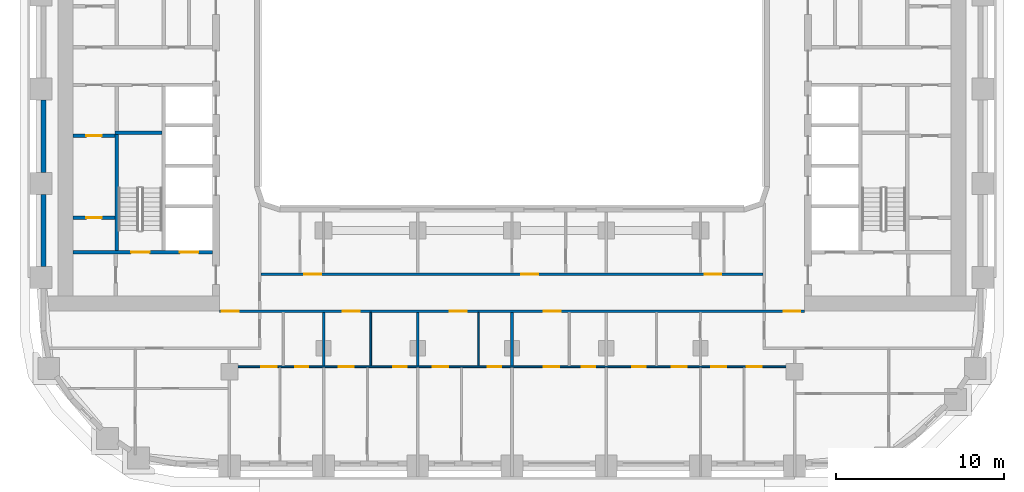
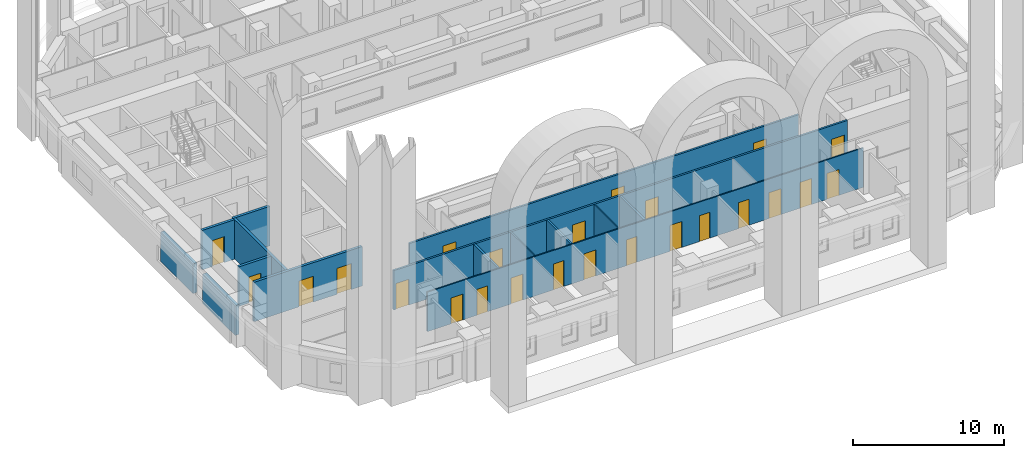
# One storey, part 3 of 19: 24 doors, 15 walls, 24 openings.
"""IFC4 building model written with IfcOpenShell, lengths in metres."""

from ifc_helpers import new_model, si_unit, direction, frame, frame_2d, origin, place, context, subcontext, project, spatial, rectangle, extrude, material, layer, layer_set, type_object, element, fill, save


model = new_model("IFC4")

# Units and contexts
model_context = context("Model", 3, precision=1e-05, world=origin(), true_north=direction((0.0, 1.0)))
body_context = subcontext(model_context, "Body", "Model", "MODEL_VIEW")
ifc_project = project(units=[si_unit("LENGTHUNIT", "METRE"), si_unit("AREAUNIT", "SQUARE_METRE"), si_unit("VOLUMEUNIT", "CUBIC_METRE"), si_unit("PLANEANGLEUNIT", "RADIAN"), si_unit("MASSUNIT", "GRAM", prefix="KILO")], contexts=[model_context])

# Site, building, storey
site_placement = place(None, origin())
site = spatial("IfcSite", under=ifc_project, at=site_placement, CompositionType="ELEMENT")
building_placement = place(site_placement, origin())
building = spatial("IfcBuilding", under=site, at=building_placement, Name="Kiln Ring Residences", CompositionType="ELEMENT")
storey_placement = place(building_placement, frame((0.0, 0.0, 83.300048828125)))
storey = spatial("IfcBuildingStorey", under=building, at=storey_placement, Name="L20", CompositionType="ELEMENT", Elevation=83.300048828125)

# Wall, opening, door
ifc_material_1 = material(Name="Gypsum board on steel studs", Category="steel")
ifc_layer_1 = layer(ifc_material_1, 0.199951171875)
ifc_layer_set_1 = layer_set([ifc_layer_1], Name="CORE-PARTITION-200")
wall_type_1 = type_object("IfcWallType", Name="CORE-PARTITION-200", PredefinedType="PARTITIONING", material=ifc_layer_set_1)
wall_1_placement = place(storey_placement, frame((-23.60009765625, -7.64990234375, 0.0), z_axis=(0.0, 0.0, 1.0), x_axis=(-1.0, 0.0, 0.0)))
wall_1 = element("IfcWall", 1, at=wall_1_placement, inside=storey, type_object=wall_type_1, Name="Core partition west L20 6", PredefinedType="PARTITIONING", context=body_context, shape_type="SweptSolid", body=[
    extrude(rectangle(XDim=2.5, YDim=0.199951171875, at=frame_2d((1.25, 0.0))), origin(), (0.0, 0.0, 1.0), 3.199951171875),
])
opening_1_placement = place(wall_1_placement, frame((0.800048828125, 0.0, 0.0)))
opening_1 = element("IfcOpeningElement", 2, at=opening_1_placement, cuts=wall_1, Name="Opening L20-CW16", PredefinedType="OPENING", context=body_context, shape_type="SweptSolid", body=[
    extrude(rectangle(XDim=0.89990234375, YDim=2.10009765625, at=frame_2d((0.449951171875, 1.050048828125))), frame((0.0, 0.10986328125, 0.0), z_axis=(0.0, -1.0, 0.0), x_axis=(1.0, 0.0, 0.0)), (0.0, 0.0, 1.0), 0.219970703125),
])
ifc_material_2 = material(Name="Steel door leaf", Category="steel")
door_type_1 = type_object("IfcDoorType", Name="CORE-DOOR-ROOM", OperationType="SINGLE_SWING_LEFT", PredefinedType="DOOR", material=ifc_material_2)
door_1_placement = place(opening_1_placement, origin())
door_1 = element("IfcDoor", 3, at=door_1_placement, inside=storey, type_object=door_type_1, Name="Plant room L20-CW16", OperationType="SINGLE_SWING_LEFT", OverallHeight=2.10009765625, OverallWidth=0.89990234375, PredefinedType="DOOR", context=body_context, shape_type="SweptSolid", body=[
    extrude(rectangle(XDim=0.89990234375, YDim=2.10009765625, at=frame_2d((0.449951171875, 1.050048828125))), frame((0.0, 0.02490234375, 0.0), z_axis=(0.0, -1.0, 0.0), x_axis=(1.0, 0.0, 0.0)), (0.0, 0.0, 1.0), 0.050048828125),
])
fill(opening_1, door_1)

wall_2_placement = place(storey_placement, frame((-23.60009765625, -2.77490234375, 0.0), z_axis=(0.0, 0.0, 1.0), x_axis=(-1.0, 0.0, 0.0)))
wall_2 = element("IfcWall", 4, at=wall_2_placement, inside=storey, type_object=wall_type_1, Name="Core partition west L20 7", PredefinedType="PARTITIONING", context=body_context, shape_type="SweptSolid", body=[
    extrude(rectangle(XDim=2.5, YDim=0.199951171875, at=frame_2d((1.25, 0.0))), origin(), (0.0, 0.0, 1.0), 3.199951171875),
])
opening_2_placement = place(wall_2_placement, frame((0.800048828125, 0.0, 0.0)))
opening_2 = element("IfcOpeningElement", 5, at=opening_2_placement, cuts=wall_2, Name="Opening L20-CW17", PredefinedType="OPENING", context=body_context, shape_type="SweptSolid", body=[
    extrude(rectangle(XDim=0.89990234375, YDim=2.10009765625, at=frame_2d((0.449951171875, 1.050048828125))), frame((0.0, 0.10986328125, 0.0), z_axis=(0.0, -1.0, 0.0), x_axis=(1.0, 0.0, 0.0)), (0.0, 0.0, 1.0), 0.219970703125),
])
door_2_placement = place(opening_2_placement, origin())
door_2 = element("IfcDoor", 6, at=door_2_placement, inside=storey, type_object=door_type_1, Name="Battery room L20-CW17", OperationType="SINGLE_SWING_RIGHT", OverallHeight=2.10009765625, OverallWidth=0.89990234375, PredefinedType="DOOR", context=body_context, shape_type="SweptSolid", body=[
    extrude(rectangle(XDim=0.89990234375, YDim=2.10009765625, at=frame_2d((0.449951171875, 1.050048828125))), frame((0.0, 0.02490234375, 0.0), z_axis=(0.0, -1.0, 0.0), x_axis=(1.0, 0.0, 0.0)), (0.0, 0.0, 1.0), 0.050048828125),
])
fill(opening_2, door_2)

# Wall, openings, doors
ifc_material_3 = material(Name="Concrete C40/50", Category="concrete")
ifc_layer_2 = layer(ifc_material_3, 0.199951171875)
ifc_layer_set_2 = layer_set([ifc_layer_2], Name="CORE-WALL-RC200")
wall_type_2 = type_object("IfcWallType", Name="CORE-WALL-RC200", PredefinedType="SHEAR", material=ifc_layer_set_2)
wall_3_placement = place(storey_placement, frame((-17.800048828125, -9.699951171875, 0.0), z_axis=(0.0, 0.0, 1.0), x_axis=(-1.0, 0.0, 0.0)))
wall_3 = element("IfcWall", 7, at=wall_3_placement, inside=storey, type_object=wall_type_2, Name="Core wall west L20 8", PredefinedType="SHEAR", context=body_context, shape_type="SweptSolid", body=[
    extrude(rectangle(XDim=8.300048828125, YDim=0.199951171875, at=frame_2d((4.14990234375, 0.0))), origin(), (0.0, 0.0, 1.0), 3.199951171875),
])
opening_3_placement = place(wall_3_placement, frame((0.85009765625, 0.0, 0.0)))
opening_3 = element("IfcOpeningElement", 8, at=opening_3_placement, cuts=wall_3, Name="Opening L20-CW01", PredefinedType="OPENING", context=body_context, shape_type="SweptSolid", body=[
    extrude(rectangle(XDim=1.10009765625, YDim=2.10009765625, at=frame_2d((0.550048828125, 1.050048828125))), frame((0.0, 0.10986328125, 0.0), z_axis=(0.0, -1.0, 0.0), x_axis=(1.0, 0.0, 0.0)), (0.0, 0.0, 1.0), 0.219970703125),
])
opening_4_placement = place(wall_3_placement, frame((3.75, 0.0, 0.0)))
opening_4 = element("IfcOpeningElement", 9, at=opening_4_placement, cuts=wall_3, Name="Opening L20-CW13", PredefinedType="OPENING", context=body_context, shape_type="SweptSolid", body=[
    extrude(rectangle(XDim=1.10009765625, YDim=2.10009765625, at=frame_2d((0.550048828125, 1.050048828125))), frame((0.0, 0.10986328125, 0.0), z_axis=(0.0, -1.0, 0.0), x_axis=(1.0, 0.0, 0.0)), (0.0, 0.0, 1.0), 0.219970703125),
])
ifc_material_4 = material(Name="Steel door leaf", Category="steel")
door_type_2 = type_object("IfcDoorType", Name="CORE-DOOR-LD", OperationType="DOUBLE_DOOR_SLIDING", PredefinedType="DOOR", material=ifc_material_4)
door_3_placement = place(opening_3_placement, origin())
door_3 = element("IfcDoor", 10, at=door_3_placement, inside=storey, type_object=door_type_2, Name="LD W-SV L20-CW01", OperationType="DOUBLE_DOOR_SLIDING", OverallHeight=2.10009765625, OverallWidth=1.10009765625, PredefinedType="DOOR", context=body_context, shape_type="SweptSolid", body=[
    extrude(rectangle(XDim=1.10009765625, YDim=2.10009765625, at=frame_2d((0.550048828125, 1.050048828125))), frame((0.0, 0.02490234375, 0.0), z_axis=(0.0, -1.0, 0.0), x_axis=(1.0, 0.0, 0.0)), (0.0, 0.0, 1.0), 0.050048828125),
])
fill(opening_3, door_3)
ifc_material_5 = material(Name="Steel door leaf", Category="steel")
door_type_3 = type_object("IfcDoorType", Name="CORE-DOOR-STAIR", OperationType="SINGLE_SWING_LEFT", PredefinedType="DOOR", material=ifc_material_5)
door_4_placement = place(opening_4_placement, origin())
door_4 = element("IfcDoor", 11, at=door_4_placement, inside=storey, type_object=door_type_3, Name="Stair W-STS L20-CW13", OperationType="SINGLE_SWING_RIGHT", OverallHeight=2.10009765625, OverallWidth=1.10009765625, PredefinedType="DOOR", context=body_context, shape_type="SweptSolid", body=[
    extrude(rectangle(XDim=1.10009765625, YDim=2.10009765625, at=frame_2d((0.550048828125, 1.050048828125))), frame((0.0, 0.02490234375, 0.0), z_axis=(0.0, -1.0, 0.0), x_axis=(1.0, 0.0, 0.0)), (0.0, 0.0, 1.0), 0.050048828125),
])
fill(opening_4, door_4)

# Walls
wall_4_placement = place(storey_placement, frame((-23.5, -9.60009765625, 0.0), z_axis=(0.0, 0.0, 1.0), x_axis=(0.0, 1.0, 0.0)))
element("IfcWall", 12, at=wall_4_placement, inside=storey, type_object=wall_type_2, Name="Core wall west L20 11", PredefinedType="SHEAR", context=body_context, shape_type="SweptSolid", body=[
    extrude(rectangle(XDim=6.900146484375, YDim=0.199951171875, at=frame_2d((3.4501953125, 0.0))), origin(), (0.0, 0.0, 1.0), 3.199951171875),
])
wall_5_placement = place(storey_placement, frame((-20.800048828125, -2.60009765625, 0.0), z_axis=(0.0, 0.0, 1.0), x_axis=(-1.0, 0.0, 0.0)))
element("IfcWall", 13, at=wall_5_placement, inside=storey, type_object=wall_type_2, Name="Core wall west L20 12", PredefinedType="SHEAR", context=body_context, shape_type="SweptSolid", body=[
    extrude(rectangle(XDim=2.800048828125, YDim=0.199951171875, at=frame_2d((1.39990234375, 0.0))), origin(), (0.0, 0.0, 1.0), 3.199951171875),
])
ifc_material_6 = material(Name="Brick masonry, dark clay brick", Category="masonry")
ifc_layer_3 = layer(ifc_material_6, 0.300048828125)
ifc_layer_set_3 = layer_set([ifc_layer_3], Name="EW-300 BRICK WALL")
wall_type_3 = type_object("IfcWallType", Name="EW-300 BRICK WALL", PredefinedType="SOLIDWALL", material=ifc_layer_set_3)
for number, where, z_axis, x_axis, name in (
    (14, (-27.85009765625, -0.64990234375, 0.0), (0.0, 0.0, 1.0), (0.0, -1.0, 0.0), "Facade wall L20 44"),
    (15, (-27.85009765625, -6.25, 0.0), (0.0, 0.0, 1.0), (0.0, -1.0, 0.0), "Facade wall L20 45"),
):
    element("IfcWall", number, at=place(storey_placement, frame(where, z_axis=z_axis, x_axis=x_axis)), inside=storey, type_object=wall_type_3, Name=name, PredefinedType="SOLIDWALL", context=body_context, shape_type="SweptSolid", body=[
        extrude(rectangle(XDim=4.300048828125, YDim=0.300048828125, at=frame_2d((2.14990234375, 0.0))), origin(), (0.0, 0.0, 1.0), 2.39990234375),
    ])

# Wall, openings, doors
ifc_material_7 = material(Name="Gypsum board on steel studs", Category="steel")
ifc_layer_4 = layer(ifc_material_7, 0.10009765625)
ifc_layer_set_4 = layer_set([ifc_layer_4], Name="PARTITION-100")
wall_type_4 = type_object("IfcWallType", Name="PARTITION-100", PredefinedType="PARTITIONING", material=ifc_layer_set_4)
wall_6_placement = place(storey_placement, frame((-16.72509765625, -16.5, 0.0), z_axis=(0.0, 0.0, 1.0), x_axis=(1.0, 0.0, 0.0)))
wall_6 = element("IfcWall", 16, at=wall_6_placement, inside=storey, type_object=wall_type_4, Name="Partition 002", PredefinedType="PARTITIONING", context=body_context, shape_type="SweptSolid", body=[
    extrude(rectangle(XDim=33.4501953125, YDim=0.10009765625, at=frame_2d((16.72509765625, 0.0))), origin(), (0.0, 0.0, 1.0), 3.199951171875),
])
opening_5_placement = place(wall_6_placement, frame((3.824951171875, 0.0, 0.0)))
opening_5 = element("IfcOpeningElement", 17, at=opening_5_placement, cuts=wall_6, Name="Opening L20-D053", PredefinedType="OPENING", context=body_context, shape_type="SweptSolid", body=[
    extrude(rectangle(XDim=0.800048828125, YDim=2.10009765625, at=frame_2d((0.39990234375, 1.050048828125))), frame((0.0, 0.06005859375, 0.0), z_axis=(0.0, -1.0, 0.0), x_axis=(1.0, 0.0, 0.0)), (0.0, 0.0, 1.0), 0.1201171875),
])
opening_6_placement = place(wall_6_placement, frame((1.824951171875, 0.0, 0.0)))
opening_6 = element("IfcOpeningElement", 18, at=opening_6_placement, cuts=wall_6, Name="Opening L20-D054", PredefinedType="OPENING", context=body_context, shape_type="SweptSolid", body=[
    extrude(rectangle(XDim=0.89990234375, YDim=2.10009765625, at=frame_2d((0.449951171875, 1.050048828125))), frame((0.0, 0.06005859375, 0.0), z_axis=(0.0, -1.0, 0.0), x_axis=(1.0, 0.0, 0.0)), (0.0, 0.0, 1.0), 0.1201171875),
])
opening_7_placement = place(wall_6_placement, frame((9.675048828125, 0.0, 0.0)))
opening_7 = element("IfcOpeningElement", 19, at=opening_7_placement, cuts=wall_6, Name="Opening L20-D057", PredefinedType="OPENING", context=body_context, shape_type="SweptSolid", body=[
    extrude(rectangle(XDim=0.800048828125, YDim=2.10009765625, at=frame_2d((0.39990234375, 1.050048828125))), frame((0.0, 0.06005859375, 0.0), z_axis=(0.0, -1.0, 0.0), x_axis=(1.0, 0.0, 0.0)), (0.0, 0.0, 1.0), 0.1201171875),
])
opening_8_placement = place(wall_6_placement, frame((6.425048828125, 0.0, 0.0)))
opening_8 = element("IfcOpeningElement", 20, at=opening_8_placement, cuts=wall_6, Name="Opening L20-D058", PredefinedType="OPENING", context=body_context, shape_type="SweptSolid", body=[
    extrude(rectangle(XDim=0.89990234375, YDim=2.10009765625, at=frame_2d((0.449951171875, 1.050048828125))), frame((0.0, 0.06005859375, 0.0), z_axis=(0.0, -1.0, 0.0), x_axis=(1.0, 0.0, 0.0)), (0.0, 0.0, 1.0), 0.1201171875),
])
opening_9_placement = place(wall_6_placement, frame((15.27490234375, 0.0, 0.0)))
opening_9 = element("IfcOpeningElement", 21, at=opening_9_placement, cuts=wall_6, Name="Opening L20-D061", PredefinedType="OPENING", context=body_context, shape_type="SweptSolid", body=[
    extrude(rectangle(XDim=0.800048828125, YDim=2.10009765625, at=frame_2d((0.39990234375, 1.050048828125))), frame((0.0, 0.06005859375, 0.0), z_axis=(0.0, -1.0, 0.0), x_axis=(1.0, 0.0, 0.0)), (0.0, 0.0, 1.0), 0.1201171875),
])
opening_10_placement = place(wall_6_placement, frame((12.02490234375, 0.0, 0.0)))
opening_10 = element("IfcOpeningElement", 22, at=opening_10_placement, cuts=wall_6, Name="Opening L20-D062", PredefinedType="OPENING", context=body_context, shape_type="SweptSolid", body=[
    extrude(rectangle(XDim=0.89990234375, YDim=2.10009765625, at=frame_2d((0.449951171875, 1.050048828125))), frame((0.0, 0.06005859375, 0.0), z_axis=(0.0, -1.0, 0.0), x_axis=(1.0, 0.0, 0.0)), (0.0, 0.0, 1.0), 0.1201171875),
])
opening_11_placement = place(wall_6_placement, frame((20.875, 0.0, 0.0)))
opening_11 = element("IfcOpeningElement", 23, at=opening_11_placement, cuts=wall_6, Name="Opening L20-D065", PredefinedType="OPENING", context=body_context, shape_type="SweptSolid", body=[
    extrude(rectangle(XDim=0.800048828125, YDim=2.10009765625, at=frame_2d((0.39990234375, 1.050048828125))), frame((0.0, 0.06005859375, 0.0), z_axis=(0.0, -1.0, 0.0), x_axis=(1.0, 0.0, 0.0)), (0.0, 0.0, 1.0), 0.1201171875),
])
opening_12_placement = place(wall_6_placement, frame((18.625, 0.0, 0.0)))
opening_12 = element("IfcOpeningElement", 24, at=opening_12_placement, cuts=wall_6, Name="Opening L20-D066", PredefinedType="OPENING", context=body_context, shape_type="SweptSolid", body=[
    extrude(rectangle(XDim=0.89990234375, YDim=2.10009765625, at=frame_2d((0.449951171875, 1.050048828125))), frame((0.0, 0.06005859375, 0.0), z_axis=(0.0, -1.0, 0.0), x_axis=(1.0, 0.0, 0.0)), (0.0, 0.0, 1.0), 0.1201171875),
])
opening_13_placement = place(wall_6_placement, frame((23.875, 0.0, 0.0)))
opening_13 = element("IfcOpeningElement", 25, at=opening_13_placement, cuts=wall_6, Name="Opening L20-D069", PredefinedType="OPENING", context=body_context, shape_type="SweptSolid", body=[
    extrude(rectangle(XDim=0.800048828125, YDim=2.10009765625, at=frame_2d((0.39990234375, 1.050048828125))), frame((0.0, 0.06005859375, 0.0), z_axis=(0.0, -1.0, 0.0), x_axis=(1.0, 0.0, 0.0)), (0.0, 0.0, 1.0), 0.1201171875),
])
opening_14_placement = place(wall_6_placement, frame((26.22509765625, 0.0, 0.0)))
opening_14 = element("IfcOpeningElement", 26, at=opening_14_placement, cuts=wall_6, Name="Opening L20-D070", PredefinedType="OPENING", context=body_context, shape_type="SweptSolid", body=[
    extrude(rectangle(XDim=0.89990234375, YDim=2.10009765625, at=frame_2d((0.449951171875, 1.050048828125))), frame((0.0, 0.06005859375, 0.0), z_axis=(0.0, -1.0, 0.0), x_axis=(1.0, 0.0, 0.0)), (0.0, 0.0, 1.0), 0.1201171875),
])
opening_15_placement = place(wall_6_placement, frame((28.574951171875, 0.0, 0.0)))
opening_15 = element("IfcOpeningElement", 27, at=opening_15_placement, cuts=wall_6, Name="Opening L20-D071", PredefinedType="OPENING", context=body_context, shape_type="SweptSolid", body=[
    extrude(rectangle(XDim=0.89990234375, YDim=2.10009765625, at=frame_2d((0.449951171875, 1.050048828125))), frame((0.0, 0.06005859375, 0.0), z_axis=(0.0, -1.0, 0.0), x_axis=(1.0, 0.0, 0.0)), (0.0, 0.0, 1.0), 0.1201171875),
])
opening_16_placement = place(wall_6_placement, frame((30.675048828125, 0.0, 0.0)))
opening_16 = element("IfcOpeningElement", 28, at=opening_16_placement, cuts=wall_6, Name="Opening L20-D072", PredefinedType="OPENING", context=body_context, shape_type="SweptSolid", body=[
    extrude(rectangle(XDim=0.89990234375, YDim=2.10009765625, at=frame_2d((0.449951171875, 1.050048828125))), frame((0.0, 0.06005859375, 0.0), z_axis=(0.0, -1.0, 0.0), x_axis=(1.0, 0.0, 0.0)), (0.0, 0.0, 1.0), 0.1201171875),
])
ifc_material_8 = material(Name="Timber door leaf", Category="wood")
door_type_4 = type_object("IfcDoorType", Name="FLAT-DOOR-800-PL", OperationType="SINGLE_SWING_LEFT", PredefinedType="DOOR", material=ifc_material_8)
door_5_placement = place(opening_5_placement, origin())
door_5 = element("IfcDoor", 29, at=door_5_placement, inside=storey, type_object=door_type_4, Name="Door L20-D053", OperationType="SINGLE_SWING_LEFT", OverallHeight=2.10009765625, OverallWidth=0.800048828125, PredefinedType="DOOR", context=body_context, shape_type="SweptSolid", body=[
    extrude(rectangle(XDim=0.800048828125, YDim=2.10009765625, at=frame_2d((0.39990234375, 1.050048828125))), frame((0.0, 0.02490234375, 0.0), z_axis=(0.0, -1.0, 0.0), x_axis=(1.0, 0.0, 0.0)), (0.0, 0.0, 1.0), 0.050048828125),
])
fill(opening_5, door_5)
door_6_placement = place(opening_7_placement, origin())
door_6 = element("IfcDoor", 30, at=door_6_placement, inside=storey, type_object=door_type_4, Name="Door L20-D057", OperationType="SINGLE_SWING_LEFT", OverallHeight=2.10009765625, OverallWidth=0.800048828125, PredefinedType="DOOR", context=body_context, shape_type="SweptSolid", body=[
    extrude(rectangle(XDim=0.800048828125, YDim=2.10009765625, at=frame_2d((0.39990234375, 1.050048828125))), frame((0.0, 0.02490234375, 0.0), z_axis=(0.0, -1.0, 0.0), x_axis=(1.0, 0.0, 0.0)), (0.0, 0.0, 1.0), 0.050048828125),
])
fill(opening_7, door_6)
door_7_placement = place(opening_9_placement, origin())
door_7 = element("IfcDoor", 31, at=door_7_placement, inside=storey, type_object=door_type_4, Name="Door L20-D061", OperationType="SINGLE_SWING_LEFT", OverallHeight=2.10009765625, OverallWidth=0.800048828125, PredefinedType="DOOR", context=body_context, shape_type="SweptSolid", body=[
    extrude(rectangle(XDim=0.800048828125, YDim=2.10009765625, at=frame_2d((0.39990234375, 1.050048828125))), frame((0.0, 0.02490234375, 0.0), z_axis=(0.0, -1.0, 0.0), x_axis=(1.0, 0.0, 0.0)), (0.0, 0.0, 1.0), 0.050048828125),
])
fill(opening_9, door_7)
door_8_placement = place(opening_11_placement, origin())
door_8 = element("IfcDoor", 32, at=door_8_placement, inside=storey, type_object=door_type_4, Name="Door L20-D065", OperationType="SINGLE_SWING_LEFT", OverallHeight=2.10009765625, OverallWidth=0.800048828125, PredefinedType="DOOR", context=body_context, shape_type="SweptSolid", body=[
    extrude(rectangle(XDim=0.800048828125, YDim=2.10009765625, at=frame_2d((0.39990234375, 1.050048828125))), frame((0.0, 0.02490234375, 0.0), z_axis=(0.0, -1.0, 0.0), x_axis=(1.0, 0.0, 0.0)), (0.0, 0.0, 1.0), 0.050048828125),
])
fill(opening_11, door_8)
door_9_placement = place(opening_13_placement, origin())
door_9 = element("IfcDoor", 33, at=door_9_placement, inside=storey, type_object=door_type_4, Name="Door L20-D069", OperationType="SINGLE_SWING_LEFT", OverallHeight=2.10009765625, OverallWidth=0.800048828125, PredefinedType="DOOR", context=body_context, shape_type="SweptSolid", body=[
    extrude(rectangle(XDim=0.800048828125, YDim=2.10009765625, at=frame_2d((0.39990234375, 1.050048828125))), frame((0.0, 0.02490234375, 0.0), z_axis=(0.0, -1.0, 0.0), x_axis=(1.0, 0.0, 0.0)), (0.0, 0.0, 1.0), 0.050048828125),
])
fill(opening_13, door_9)
ifc_material_9 = material(Name="Timber door leaf", Category="wood")
door_type_5 = type_object("IfcDoorType", Name="FLAT-DOOR-900-PL", OperationType="SINGLE_SWING_LEFT", PredefinedType="DOOR", material=ifc_material_9)
door_10_placement = place(opening_6_placement, origin())
door_10 = element("IfcDoor", 34, at=door_10_placement, inside=storey, type_object=door_type_5, Name="Door L20-D054", OperationType="SINGLE_SWING_RIGHT", OverallHeight=2.10009765625, OverallWidth=0.89990234375, PredefinedType="DOOR", context=body_context, shape_type="SweptSolid", body=[
    extrude(rectangle(XDim=0.89990234375, YDim=2.10009765625, at=frame_2d((0.449951171875, 1.050048828125))), frame((0.0, 0.02490234375, 0.0), z_axis=(0.0, -1.0, 0.0), x_axis=(1.0, 0.0, 0.0)), (0.0, 0.0, 1.0), 0.050048828125),
])
fill(opening_6, door_10)
door_11_placement = place(opening_8_placement, origin())
door_11 = element("IfcDoor", 35, at=door_11_placement, inside=storey, type_object=door_type_5, Name="Door L20-D058", OperationType="SINGLE_SWING_RIGHT", OverallHeight=2.10009765625, OverallWidth=0.89990234375, PredefinedType="DOOR", context=body_context, shape_type="SweptSolid", body=[
    extrude(rectangle(XDim=0.89990234375, YDim=2.10009765625, at=frame_2d((0.449951171875, 1.050048828125))), frame((0.0, 0.02490234375, 0.0), z_axis=(0.0, -1.0, 0.0), x_axis=(1.0, 0.0, 0.0)), (0.0, 0.0, 1.0), 0.050048828125),
])
fill(opening_8, door_11)
door_12_placement = place(opening_10_placement, origin())
door_12 = element("IfcDoor", 36, at=door_12_placement, inside=storey, type_object=door_type_5, Name="Door L20-D062", OperationType="SINGLE_SWING_RIGHT", OverallHeight=2.10009765625, OverallWidth=0.89990234375, PredefinedType="DOOR", context=body_context, shape_type="SweptSolid", body=[
    extrude(rectangle(XDim=0.89990234375, YDim=2.10009765625, at=frame_2d((0.449951171875, 1.050048828125))), frame((0.0, 0.02490234375, 0.0), z_axis=(0.0, -1.0, 0.0), x_axis=(1.0, 0.0, 0.0)), (0.0, 0.0, 1.0), 0.050048828125),
])
fill(opening_10, door_12)
door_13_placement = place(opening_12_placement, origin())
door_13 = element("IfcDoor", 37, at=door_13_placement, inside=storey, type_object=door_type_5, Name="Door L20-D066", OperationType="SINGLE_SWING_RIGHT", OverallHeight=2.10009765625, OverallWidth=0.89990234375, PredefinedType="DOOR", context=body_context, shape_type="SweptSolid", body=[
    extrude(rectangle(XDim=0.89990234375, YDim=2.10009765625, at=frame_2d((0.449951171875, 1.050048828125))), frame((0.0, 0.02490234375, 0.0), z_axis=(0.0, -1.0, 0.0), x_axis=(1.0, 0.0, 0.0)), (0.0, 0.0, 1.0), 0.050048828125),
])
fill(opening_12, door_13)
door_14_placement = place(opening_14_placement, origin())
door_14 = element("IfcDoor", 38, at=door_14_placement, inside=storey, type_object=door_type_5, Name="Door L20-D070", OperationType="SINGLE_SWING_RIGHT", OverallHeight=2.10009765625, OverallWidth=0.89990234375, PredefinedType="DOOR", context=body_context, shape_type="SweptSolid", body=[
    extrude(rectangle(XDim=0.89990234375, YDim=2.10009765625, at=frame_2d((0.449951171875, 1.050048828125))), frame((0.0, 0.02490234375, 0.0), z_axis=(0.0, -1.0, 0.0), x_axis=(1.0, 0.0, 0.0)), (0.0, 0.0, 1.0), 0.050048828125),
])
fill(opening_14, door_14)
door_15_placement = place(opening_15_placement, origin())
door_15 = element("IfcDoor", 39, at=door_15_placement, inside=storey, type_object=door_type_5, Name="Door L20-D071", OperationType="SINGLE_SWING_LEFT", OverallHeight=2.10009765625, OverallWidth=0.89990234375, PredefinedType="DOOR", context=body_context, shape_type="SweptSolid", body=[
    extrude(rectangle(XDim=0.89990234375, YDim=2.10009765625, at=frame_2d((0.449951171875, 1.050048828125))), frame((0.0, 0.02490234375, 0.0), z_axis=(0.0, -1.0, 0.0), x_axis=(1.0, 0.0, 0.0)), (0.0, 0.0, 1.0), 0.050048828125),
])
fill(opening_15, door_15)
door_16_placement = place(opening_16_placement, origin())
door_16 = element("IfcDoor", 40, at=door_16_placement, inside=storey, type_object=door_type_5, Name="Door L20-D072", OperationType="SINGLE_SWING_LEFT", OverallHeight=2.10009765625, OverallWidth=0.89990234375, PredefinedType="DOOR", context=body_context, shape_type="SweptSolid", body=[
    extrude(rectangle(XDim=0.89990234375, YDim=2.10009765625, at=frame_2d((0.449951171875, 1.050048828125))), frame((0.0, 0.02490234375, 0.0), z_axis=(0.0, -1.0, 0.0), x_axis=(1.0, 0.0, 0.0)), (0.0, 0.0, 1.0), 0.050048828125),
])
fill(opening_16, door_16)

# Walls
for number, where, z_axis, x_axis, name in (
    (41, (-8.39990234375, -16.449951171875, 0.0), (0.0, 0.0, 1.0), (0.0, 1.0, 0.0), "Partition 037"),
    (42, (-2.0, -16.449951171875, 0.0), (0.0, 0.0, 1.0), (0.0, 1.0, 0.0), "Partition 046"),
):
    element("IfcWall", number, at=place(storey_placement, frame(where, z_axis=z_axis, x_axis=x_axis)), inside=storey, type_object=wall_type_4, Name=name, PredefinedType="PARTITIONING", context=body_context, shape_type="SweptSolid", body=[
        extrude(rectangle(XDim=3.175048828125, YDim=0.10009765625, at=frame_2d((1.58740234375, 0.0))), origin(), (0.0, 0.0, 1.0), 3.199951171875),
    ])

# Wall, openings, doors
ifc_material_10 = material(Name="Brick masonry partition", Category="masonry")
ifc_layer_5 = layer(ifc_material_10, 0.14990234375)
ifc_layer_set_5 = layer_set([ifc_layer_5], Name="PARTITION-150-ei60")
wall_type_5 = type_object("IfcWallType", Name="PARTITION-150-ei60", PredefinedType="PARTITIONING", material=ifc_layer_set_5)
wall_7_placement = place(storey_placement, frame((-17.39990234375, -13.199951171875, 0.0), z_axis=(0.0, 0.0, 1.0), x_axis=(1.0, 0.0, 0.0)))
wall_7 = element("IfcWall", 43, at=wall_7_placement, inside=storey, type_object=wall_type_5, Name="Partition 005", PredefinedType="PARTITIONING", context=body_context, shape_type="SweptSolid", body=[
    extrude(rectangle(XDim=34.7998046875, YDim=0.14990234375, at=frame_2d((17.39990234375, 0.0))), origin(), (0.0, 0.0, 1.0), 3.199951171875),
])
opening_17_placement = place(wall_7_placement, frame((0.14990234375, 0.0, 0.0)))
opening_17 = element("IfcOpeningElement", 44, at=opening_17_placement, cuts=wall_7, Name="Opening L20-D007", PredefinedType="OPENING", context=body_context, shape_type="SweptSolid", body=[
    extrude(rectangle(XDim=1.0, YDim=2.10009765625, at=frame_2d((0.5, 1.050048828125))), frame((0.0, 0.0849609375, 0.0), z_axis=(0.0, -1.0, 0.0), x_axis=(1.0, 0.0, 0.0)), (0.0, 0.0, 1.0), 0.169921875),
])
opening_18_placement = place(wall_7_placement, frame((33.550048828125, 0.0, 0.0)))
opening_18 = element("IfcOpeningElement", 45, at=opening_18_placement, cuts=wall_7, Name="Opening L20-D008", PredefinedType="OPENING", context=body_context, shape_type="SweptSolid", body=[
    extrude(rectangle(XDim=1.0, YDim=2.10009765625, at=frame_2d((0.5, 1.050048828125))), frame((0.0, 0.0849609375, 0.0), z_axis=(0.0, -1.0, 0.0), x_axis=(1.0, 0.0, 0.0)), (0.0, 0.0, 1.0), 0.169921875),
])
opening_19_placement = place(wall_7_placement, frame((7.35009765625, 0.0, 0.0)))
opening_19 = element("IfcOpeningElement", 46, at=opening_19_placement, cuts=wall_7, Name="Opening L20-D056", PredefinedType="OPENING", context=body_context, shape_type="SweptSolid", body=[
    extrude(rectangle(XDim=1.0, YDim=2.10009765625, at=frame_2d((0.5, 1.050048828125))), frame((0.0, 0.0849609375, 0.0), z_axis=(0.0, -1.0, 0.0), x_axis=(1.0, 0.0, 0.0)), (0.0, 0.0, 1.0), 0.169921875),
])
opening_20_placement = place(wall_7_placement, frame((13.699951171875, 0.0, 0.0)))
opening_20 = element("IfcOpeningElement", 47, at=opening_20_placement, cuts=wall_7, Name="Opening L20-D060", PredefinedType="OPENING", context=body_context, shape_type="SweptSolid", body=[
    extrude(rectangle(XDim=1.0, YDim=2.10009765625, at=frame_2d((0.5, 1.050048828125))), frame((0.0, 0.0849609375, 0.0), z_axis=(0.0, -1.0, 0.0), x_axis=(1.0, 0.0, 0.0)), (0.0, 0.0, 1.0), 0.169921875),
])
opening_21_placement = place(wall_7_placement, frame((19.300048828125, 0.0, 0.0)))
opening_21 = element("IfcOpeningElement", 48, at=opening_21_placement, cuts=wall_7, Name="Opening L20-D064", PredefinedType="OPENING", context=body_context, shape_type="SweptSolid", body=[
    extrude(rectangle(XDim=1.0, YDim=2.10009765625, at=frame_2d((0.5, 1.050048828125))), frame((0.0, 0.0849609375, 0.0), z_axis=(0.0, -1.0, 0.0), x_axis=(1.0, 0.0, 0.0)), (0.0, 0.0, 1.0), 0.169921875),
])
ifc_material_11 = material(Name="Steel faced fire door leaf", Category="steel")
door_type_6 = type_object("IfcDoorType", Name="FLAT-DOOR-1000-FR", OperationType="SINGLE_SWING_LEFT", PredefinedType="DOOR", material=ifc_material_11)
door_17_placement = place(opening_17_placement, origin())
door_17 = element("IfcDoor", 49, at=door_17_placement, inside=storey, type_object=door_type_6, Name="Door L20-D007", OperationType="SINGLE_SWING_RIGHT", OverallHeight=2.10009765625, OverallWidth=1.0, PredefinedType="DOOR", context=body_context, shape_type="SweptSolid", body=[
    extrude(rectangle(XDim=1.0, YDim=2.10009765625, at=frame_2d((0.5, 1.050048828125))), frame((0.0, 0.02490234375, 0.0), z_axis=(0.0, -1.0, 0.0), x_axis=(1.0, 0.0, 0.0)), (0.0, 0.0, 1.0), 0.050048828125),
])
fill(opening_17, door_17)
door_18_placement = place(opening_18_placement, origin())
door_18 = element("IfcDoor", 50, at=door_18_placement, inside=storey, type_object=door_type_6, Name="Door L20-D008", OperationType="SINGLE_SWING_LEFT", OverallHeight=2.10009765625, OverallWidth=1.0, PredefinedType="DOOR", context=body_context, shape_type="SweptSolid", body=[
    extrude(rectangle(XDim=1.0, YDim=2.10009765625, at=frame_2d((0.5, 1.050048828125))), frame((0.0, 0.02490234375, 0.0), z_axis=(0.0, -1.0, 0.0), x_axis=(1.0, 0.0, 0.0)), (0.0, 0.0, 1.0), 0.050048828125),
])
fill(opening_18, door_18)
door_19_placement = place(opening_19_placement, origin())
door_19 = element("IfcDoor", 51, at=door_19_placement, inside=storey, type_object=door_type_6, Name="Door L20-D056", OperationType="SINGLE_SWING_RIGHT", OverallHeight=2.10009765625, OverallWidth=1.0, PredefinedType="DOOR", context=body_context, shape_type="SweptSolid", body=[
    extrude(rectangle(XDim=1.0, YDim=2.10009765625, at=frame_2d((0.5, 1.050048828125))), frame((0.0, 0.02490234375, 0.0), z_axis=(0.0, -1.0, 0.0), x_axis=(1.0, 0.0, 0.0)), (0.0, 0.0, 1.0), 0.050048828125),
])
fill(opening_19, door_19)
door_20_placement = place(opening_20_placement, origin())
door_20 = element("IfcDoor", 52, at=door_20_placement, inside=storey, type_object=door_type_6, Name="Door L20-D060", OperationType="SINGLE_SWING_RIGHT", OverallHeight=2.10009765625, OverallWidth=1.0, PredefinedType="DOOR", context=body_context, shape_type="SweptSolid", body=[
    extrude(rectangle(XDim=1.0, YDim=2.10009765625, at=frame_2d((0.5, 1.050048828125))), frame((0.0, 0.02490234375, 0.0), z_axis=(0.0, -1.0, 0.0), x_axis=(1.0, 0.0, 0.0)), (0.0, 0.0, 1.0), 0.050048828125),
])
fill(opening_20, door_20)
door_21_placement = place(opening_21_placement, origin())
door_21 = element("IfcDoor", 53, at=door_21_placement, inside=storey, type_object=door_type_6, Name="Door L20-D064", OperationType="SINGLE_SWING_RIGHT", OverallHeight=2.10009765625, OverallWidth=1.0, PredefinedType="DOOR", context=body_context, shape_type="SweptSolid", body=[
    extrude(rectangle(XDim=1.0, YDim=2.10009765625, at=frame_2d((0.5, 1.050048828125))), frame((0.0, 0.02490234375, 0.0), z_axis=(0.0, -1.0, 0.0), x_axis=(1.0, 0.0, 0.0)), (0.0, 0.0, 1.0), 0.050048828125),
])
fill(opening_21, door_21)

wall_8_placement = place(storey_placement, frame((-14.925048828125, -11.0, 0.0), z_axis=(0.0, 0.0, 1.0), x_axis=(1.0, 0.0, 0.0)))
wall_8 = element("IfcWall", 54, at=wall_8_placement, inside=storey, type_object=wall_type_5, Name="Partition 006", PredefinedType="PARTITIONING", context=body_context, shape_type="SweptSolid", body=[
    extrude(rectangle(XDim=29.85009765625, YDim=0.14990234375, at=frame_2d((14.925048828125, 0.0))), origin(), (0.0, 0.0, 1.0), 3.199951171875),
])
opening_22_placement = place(wall_8_placement, frame((2.574951171875, 0.0, 0.0)))
opening_22 = element("IfcOpeningElement", 55, at=opening_22_placement, cuts=wall_8, Name="Opening L20-D043", PredefinedType="OPENING", context=body_context, shape_type="SweptSolid", body=[
    extrude(rectangle(XDim=1.0, YDim=2.10009765625, at=frame_2d((0.5, 1.050048828125))), frame((0.0, 0.0849609375, 0.0), z_axis=(0.0, -1.0, 0.0), x_axis=(1.0, 0.0, 0.0)), (0.0, 0.0, 1.0), 0.169921875),
])
opening_23_placement = place(wall_8_placement, frame((15.47509765625, 0.0, 0.0)))
opening_23 = element("IfcOpeningElement", 56, at=opening_23_placement, cuts=wall_8, Name="Opening L20-D046", PredefinedType="OPENING", context=body_context, shape_type="SweptSolid", body=[
    extrude(rectangle(XDim=1.0, YDim=2.10009765625, at=frame_2d((0.5, 1.050048828125))), frame((0.0, 0.0849609375, 0.0), z_axis=(0.0, -1.0, 0.0), x_axis=(1.0, 0.0, 0.0)), (0.0, 0.0, 1.0), 0.169921875),
])
opening_24_placement = place(wall_8_placement, frame((26.375, 0.0, 0.0)))
opening_24 = element("IfcOpeningElement", 57, at=opening_24_placement, cuts=wall_8, Name="Opening L20-D049", PredefinedType="OPENING", context=body_context, shape_type="SweptSolid", body=[
    extrude(rectangle(XDim=1.0, YDim=2.10009765625, at=frame_2d((0.5, 1.050048828125))), frame((0.0, 0.0849609375, 0.0), z_axis=(0.0, -1.0, 0.0), x_axis=(1.0, 0.0, 0.0)), (0.0, 0.0, 1.0), 0.169921875),
])
door_22_placement = place(opening_22_placement, origin())
door_22 = element("IfcDoor", 58, at=door_22_placement, inside=storey, type_object=door_type_6, Name="Door L20-D043", OperationType="SINGLE_SWING_LEFT", OverallHeight=2.10009765625, OverallWidth=1.0, PredefinedType="DOOR", context=body_context, shape_type="SweptSolid", body=[
    extrude(rectangle(XDim=1.0, YDim=2.10009765625, at=frame_2d((0.5, 1.050048828125))), frame((0.0, 0.02490234375, 0.0), z_axis=(0.0, -1.0, 0.0), x_axis=(1.0, 0.0, 0.0)), (0.0, 0.0, 1.0), 0.050048828125),
])
fill(opening_22, door_22)
door_23_placement = place(opening_23_placement, origin())
door_23 = element("IfcDoor", 59, at=door_23_placement, inside=storey, type_object=door_type_6, Name="Door L20-D046", OperationType="SINGLE_SWING_RIGHT", OverallHeight=2.10009765625, OverallWidth=1.0, PredefinedType="DOOR", context=body_context, shape_type="SweptSolid", body=[
    extrude(rectangle(XDim=1.0, YDim=2.10009765625, at=frame_2d((0.5, 1.050048828125))), frame((0.0, 0.02490234375, 0.0), z_axis=(0.0, -1.0, 0.0), x_axis=(1.0, 0.0, 0.0)), (0.0, 0.0, 1.0), 0.050048828125),
])
fill(opening_23, door_23)
door_24_placement = place(opening_24_placement, origin())
door_24 = element("IfcDoor", 60, at=door_24_placement, inside=storey, type_object=door_type_6, Name="Door L20-D049", OperationType="SINGLE_SWING_LEFT", OverallHeight=2.10009765625, OverallWidth=1.0, PredefinedType="DOOR", context=body_context, shape_type="SweptSolid", body=[
    extrude(rectangle(XDim=1.0, YDim=2.10009765625, at=frame_2d((0.5, 1.050048828125))), frame((0.0, 0.02490234375, 0.0), z_axis=(0.0, -1.0, 0.0), x_axis=(1.0, 0.0, 0.0)), (0.0, 0.0, 1.0), 0.050048828125),
])
fill(opening_24, door_24)

# Walls
for number, where, z_axis, x_axis, name in (
    (61, (-11.199951171875, -16.449951171875, 0.0), (0.0, 0.0, 1.0), (0.0, 1.0, 0.0), "Partition 032"),
    (62, (-5.60009765625, -16.449951171875, 0.0), (0.0, 0.0, 1.0), (0.0, 1.0, 0.0), "Partition 042"),
    (63, (0.0, -16.449951171875, 0.0), (0.0, 0.0, 1.0), (0.0, 1.0, 0.0), "Partition 050"),
):
    element("IfcWall", number, at=place(storey_placement, frame(where, z_axis=z_axis, x_axis=x_axis)), inside=storey, type_object=wall_type_5, Name=name, PredefinedType="PARTITIONING", context=body_context, shape_type="SweptSolid", body=[
        extrude(rectangle(XDim=3.175048828125, YDim=0.14990234375, at=frame_2d((1.58740234375, 0.0))), origin(), (0.0, 0.0, 1.0), 3.199951171875),
    ])

save(model, "model.ifc")
